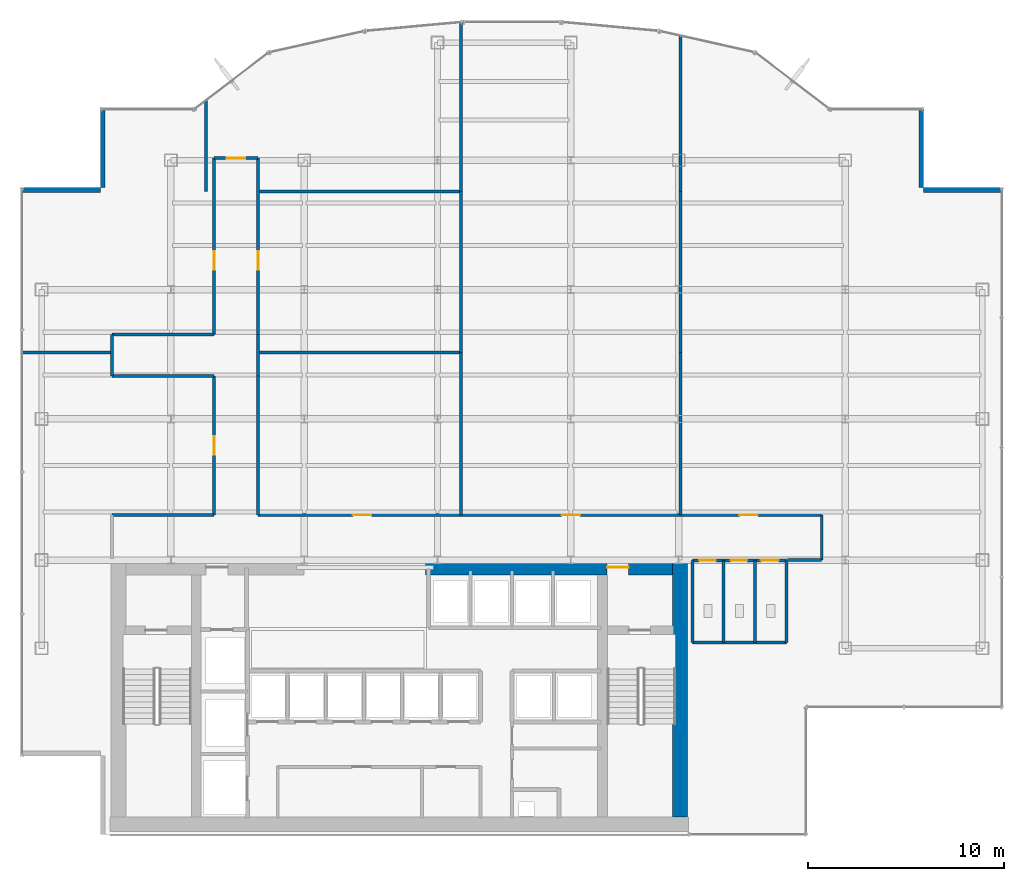
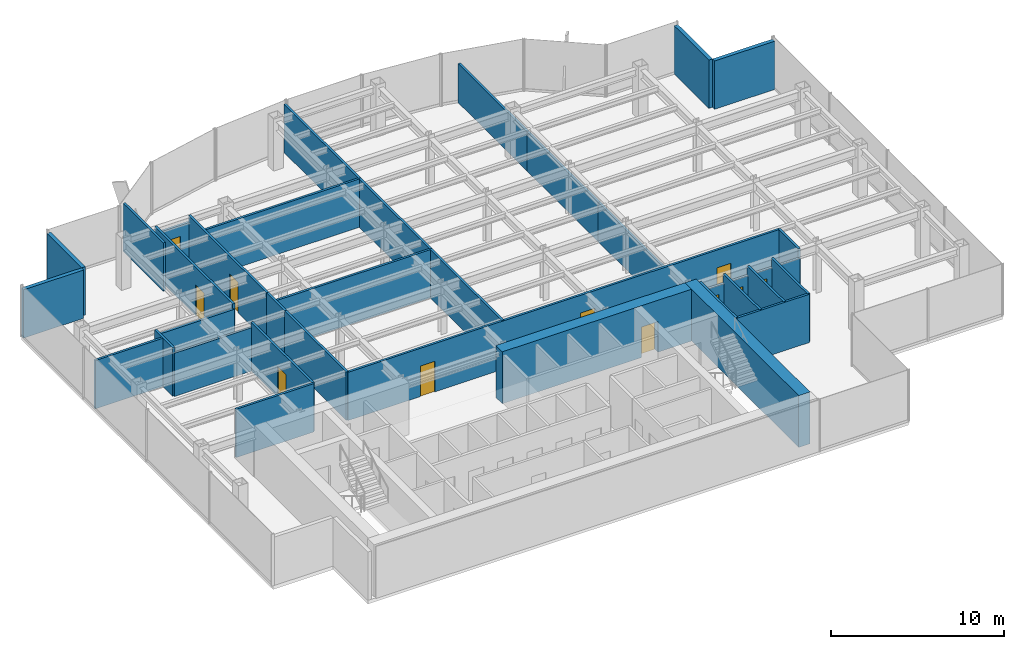
# One storey, part 21 of 25: 35 walls, 11 doors, 11 openings.
"""IFC4 building model written with IfcOpenShell, lengths in metres."""

from ifc_helpers import new_model, si_unit, derived_unit, direction, frame, frame_2d, origin, place, context, subcontext, project, spatial, rectangle, extrude, source, transform, mapped, material, layer, layer_set, type_object, element, fill, save


model = new_model("IFC4")

# Units and contexts
model_context = context("Model", 3, precision=1e-05, world=origin(), true_north=direction((0.0, 1.0)))
body_context = subcontext(model_context, "Body", "Model", "MODEL_VIEW")
ifc_project = project(units=[si_unit("LENGTHUNIT", "METRE"), si_unit("AREAUNIT", "SQUARE_METRE"), si_unit("VOLUMEUNIT", "CUBIC_METRE"), si_unit("PLANEANGLEUNIT", "RADIAN"), si_unit("MASSUNIT", "GRAM", prefix="KILO"), derived_unit("THERMALTRANSMITTANCEUNIT", [(si_unit("POWERUNIT", "WATT"), 1), (si_unit("LENGTHUNIT", "METRE"), -2), (si_unit("THERMODYNAMICTEMPERATUREUNIT", "KELVIN"), -1)])], contexts=[model_context])

# Site, building, storey
site_placement = place(None, origin())
site = spatial("IfcSite", under=ifc_project, at=site_placement, CompositionType="ELEMENT")
building_placement = place(site_placement, origin())
building = spatial("IfcBuilding", under=site, at=building_placement, Name="Skarnbrae Concourse Arena and Tower", CompositionType="ELEMENT")
storey_placement = place(building_placement, frame((0.0, 0.0, 155.199951171875)))
storey = spatial("IfcBuildingStorey", under=building, at=storey_placement, Name="L39", CompositionType="ELEMENT", Elevation=155.199951171875)

# Wall
ifc_material_1 = material(Name="Concrete 60 MPa (C60/75)", Category="concrete")
ifc_layer_1 = layer(ifc_material_1, 0.75)
ifc_layer_set_1 = layer_set([ifc_layer_1], Name="Concrete 60 MPa (C60/75)")
wall_type_1 = type_object("IfcWallType", Name="WALL-CORE-750-C60", PredefinedType="SHEAR", material=ifc_layer_set_1)
shared_shape_1 = source(origin(), body_context, "Body", "SweptSolid", [
    extrude(rectangle(XDim=13.10009765625, YDim=0.75, at=frame_2d((6.550048828125, 0.0))), origin(), (0.0, 0.0, 1.0), 3.650146484375),
])
wall_1_placement = place(storey_placement, frame((33.574951171875, 0.89990234375, 0.0), z_axis=(0.0, 0.0, 1.0), x_axis=(0.0, 1.0, 0.0)))
element("IfcWall", 1, at=wall_1_placement, inside=storey, type_object=wall_type_1, Name="L39 Rear core shear wall CW-E", PredefinedType="SHEAR", context=body_context, shape_type="MappedRepresentation", body=[
    mapped(shared_shape_1, transform((0.0, 0.0, 0.0))),
])

# Wall, opening, door
shared_shape_2 = source(origin(), body_context, "Body", "SweptSolid", [
    extrude(rectangle(XDim=12.599853515625, YDim=0.75, at=frame_2d((6.2998046875, 0.0))), origin(), (0.0, 0.0, 1.0), 3.650146484375),
])
wall_2_placement = place(storey_placement, frame((20.60009765625, 13.625, 0.0), z_axis=(0.0, 0.0, 1.0), x_axis=(1.0, 0.0, 0.0)))
wall_2 = element("IfcWall", 2, at=wall_2_placement, inside=storey, type_object=wall_type_1, Name="L39 Rear core shear wall CW-NE", PredefinedType="SHEAR", context=body_context, shape_type="MappedRepresentation", body=[
    mapped(shared_shape_2, transform((0.0, 0.0, 0.0))),
])
opening_1_placement = place(wall_2_placement, frame((9.25, 0.0, 0.0)))
opening_1 = element("IfcOpeningElement", 3, at=opening_1_placement, cuts=wall_2, Name="Opening DT-03", PredefinedType="OPENING", context=body_context, shape_type="SweptSolid", body=[
    extrude(rectangle(XDim=1.10009765625, YDim=2.14990234375, at=frame_2d((0.550048828125, 1.074951171875))), frame((0.0, 0.385009765625, 0.0), z_axis=(0.0, -1.0, 0.0), x_axis=(1.0, 0.0, 0.0)), (0.0, 0.0, 1.0), 0.77001953125),
])
ifc_material_2 = material(Name="Steel CSA G40.21 350W", Category="steel")
door_type_1 = type_object("IfcDoorType", Name="DOOR-FIRE-1100-90M", OperationType="NOTDEFINED", PredefinedType="DOOR", material=ifc_material_2)
shared_shape_3 = source(origin(), body_context, "Body", "SweptSolid", [
    extrude(rectangle(XDim=1.10009765625, YDim=2.14990234375, at=frame_2d((0.550048828125, 1.074951171875))), frame((0.0, 0.02490234375, 0.0), z_axis=(0.0, -1.0, 0.0), x_axis=(1.0, 0.0, 0.0)), (0.0, 0.0, 1.0), 0.050048828125),
])
door_1_placement = place(opening_1_placement, origin())
door_1 = element("IfcDoor", 4, at=door_1_placement, inside=storey, type_object=door_type_1, Name="D-1211 Stair ST-2 Vestibule Door", OperationType="SINGLE_SWING_LEFT", OverallHeight=2.14990234375, OverallWidth=1.10009765625, PredefinedType="DOOR", context=body_context, shape_type="MappedRepresentation", body=[
    mapped(shared_shape_3, transform((0.0, 0.0, 0.0))),
])
fill(opening_1, door_1)

# Walls
ifc_material_3 = material(Name="Precast concrete 40 MPa (C40/50)", Category="concrete")
ifc_layer_2 = layer(ifc_material_3, 0.25)
ifc_layer_set_2 = layer_set([ifc_layer_2], Name="Precast concrete 40 MPa (C40/50)")
wall_type_2 = type_object("IfcWallType", Name="WALL-EXT-SPANDREL-250", PredefinedType="STANDARD", material=ifc_layer_set_2)
shared_shape_4 = source(origin(), body_context, "Body", "SweptSolid", [
    extrude(rectangle(XDim=4.0, YDim=0.25, at=frame_2d((2.0, 0.0))), origin(), (0.0, 0.0, 1.0), 3.400146484375),
])
for number, where, z_axis, x_axis, name in (
    (5, (50.0, 32.875, 0.0), (0.0, 0.0, 1.0), (-1.0, 0.0, 0.0), "L39 Notched corner insulated return wall 05"),
    (6, (45.875, 33.0, 0.0), (0.0, 0.0, 1.0), (0.0, 1.0, 0.0), "L39 Notched corner insulated return wall 06"),
    (7, (4.125, 37.0, 0.0), (0.0, 0.0, 1.0), (0.0, -1.0, 0.0), "L39 Notched corner insulated return wall 16"),
    (8, (4.0, 32.875, 0.0), (0.0, 0.0, 1.0), (-1.0, 0.0, 0.0), "L39 Notched corner insulated return wall 17"),
):
    element("IfcWall", number, at=place(storey_placement, frame(where, z_axis=z_axis, x_axis=x_axis)), inside=storey, type_object=wall_type_2, Name=name, PredefinedType="STANDARD", context=body_context, shape_type="MappedRepresentation", body=[
        mapped(shared_shape_4, transform((0.0, 0.0, 0.0))),
    ])
ifc_material_4 = material(Name="Gypsum board on cold-formed steel studs", Category="steel")
ifc_layer_3 = layer(ifc_material_4, 0.14990234375)
ifc_layer_set_3 = layer_set([ifc_layer_3], Name="Gypsum board on cold-formed steel studs")
wall_type_3 = type_object("IfcWallType", Name="WALL-PART-150", PredefinedType="PARTITIONING", material=ifc_layer_set_3)
shared_shape_5 = source(origin(), body_context, "Body", "SweptSolid", [
    extrude(rectangle(XDim=4.800048828125, YDim=0.14990234375, at=frame_2d((2.39990234375, 0.0))), origin(), (0.0, 0.0, 1.0), 3.400146484375),
])
wall_3_placement = place(storey_placement, frame((34.199951171875, 9.800048828125, 0.0), z_axis=(0.0, 0.0, 1.0), x_axis=(1.0, 0.0, 0.0)))
element("IfcWall", 9, at=wall_3_placement, inside=storey, type_object=wall_type_3, Name="L39 Interior partition wall W-L39-WC-S", PredefinedType="PARTITIONING", context=body_context, shape_type="MappedRepresentation", body=[
    mapped(shared_shape_5, transform((0.0, 0.0, 0.0))),
])
shared_shape_6 = source(origin(), body_context, "Body", "SweptSolid", [
    extrude(rectangle(XDim=4.179931640625, YDim=0.14990234375, at=frame_2d((2.08984375, 0.0))), origin(), (0.0, 0.0, 1.0), 3.400146484375),
])
for number, where, z_axis, x_axis, name in (
    (10, (39.0, 9.800048828125, 0.0), (0.0, 0.0, 1.0), (0.0, 1.0, 0.0), "L39 Interior partition wall W-L39-WC-E"),
    (11, (34.199951171875, 9.800048828125, 0.0), (0.0, 0.0, 1.0), (0.0, 1.0, 0.0), "L39 Interior partition wall W-L39-WC-W"),
    (12, (35.800048828125, 9.800048828125, 0.0), (0.0, 0.0, 1.0), (0.0, 1.0, 0.0), "L39 Interior partition wall W-L39-WC-D1"),
    (13, (37.39990234375, 9.800048828125, 0.0), (0.0, 0.0, 1.0), (0.0, 1.0, 0.0), "L39 Interior partition wall W-L39-WC-D2"),
):
    element("IfcWall", number, at=place(storey_placement, frame(where, z_axis=z_axis, x_axis=x_axis)), inside=storey, type_object=wall_type_3, Name=name, PredefinedType="PARTITIONING", context=body_context, shape_type="MappedRepresentation", body=[
        mapped(shared_shape_6, transform((0.0, 0.0, 0.0))),
    ])
shared_shape_7 = source(origin(), body_context, "Body", "SweptSolid", [
    extrude(rectangle(XDim=10.349853515625, YDim=0.14990234375, at=frame_2d((5.1748046875, 0.0))), origin(), (0.0, 0.0, 1.0), 3.400146484375),
])
for number, where, z_axis, x_axis, name in (
    (14, (12.050048828125, 24.60009765625, 0.0), (0.0, 0.0, 1.0), (1.0, 0.0, 0.0), "L39 Interior partition wall W-L39-DEM-17"),
    (15, (22.39990234375, 32.800048828125, 0.0), (0.0, 0.0, 1.0), (-1.0, 0.0, 0.0), "L39 Interior partition wall W-L39-DEM-18"),
):
    element("IfcWall", number, at=place(storey_placement, frame(where, z_axis=z_axis, x_axis=x_axis)), inside=storey, type_object=wall_type_3, Name=name, PredefinedType="PARTITIONING", context=body_context, shape_type="MappedRepresentation", body=[
        mapped(shared_shape_7, transform((0.0, 0.0, 0.0))),
    ])
ifc_layer_4 = layer(ifc_material_4, 0.14990234375)
ifc_layer_set_4 = layer_set([ifc_layer_4], Name="Gypsum board on cold-formed steel studs")
wall_type_4 = type_object("IfcWallType", Name="WALL-PART-150-1HR", PredefinedType="PARTITIONING", material=ifc_layer_set_4)
shared_shape_8 = source(origin(), body_context, "Body", "SweptSolid", [
    extrude(rectangle(XDim=5.199951171875, YDim=0.14990234375, at=frame_2d((2.60009765625, 0.0))), origin(), (0.0, 0.0, 1.0), 3.400146484375),
])
wall_4_placement = place(storey_placement, frame((4.60009765625, 16.300048828125, 0.0), z_axis=(0.0, 0.0, 1.0), x_axis=(1.0, 0.0, 0.0)))
element("IfcWall", 16, at=wall_4_placement, inside=storey, type_object=wall_type_4, Name="L39 Interior partition wall W-L39-COR-02", PredefinedType="PARTITIONING", context=body_context, shape_type="MappedRepresentation", body=[
    mapped(shared_shape_8, transform((0.0, 0.0, 0.0))),
])

# Wall, opening, door
shared_shape_9 = source(origin(), body_context, "Body", "SweptSolid", [
    extrude(rectangle(XDim=7.099853515625, YDim=0.14990234375, at=frame_2d((3.5498046875, 0.0))), origin(), (0.0, 0.0, 1.0), 3.400146484375),
])
wall_5_placement = place(storey_placement, frame((9.800048828125, 16.300048828125, 0.0), z_axis=(0.0, 0.0, 1.0), x_axis=(0.0, 1.0, 0.0)))
wall_5 = element("IfcWall", 17, at=wall_5_placement, inside=storey, type_object=wall_type_4, Name="L39 Interior partition wall W-L39-COR-03", PredefinedType="PARTITIONING", context=body_context, shape_type="MappedRepresentation", body=[
    mapped(shared_shape_9, transform((0.0, 0.0, 0.0))),
])
opening_2_placement = place(wall_5_placement, frame((3.074951171875, 0.0, 0.0)))
opening_2 = element("IfcOpeningElement", 18, at=opening_2_placement, cuts=wall_5, Name="Opening DT-04", PredefinedType="OPENING", context=body_context, shape_type="SweptSolid", body=[
    extrude(rectangle(XDim=0.949951171875, YDim=2.14990234375, at=frame_2d((0.47509765625, 1.074951171875))), frame((0.0, 0.0849609375, 0.0), z_axis=(0.0, -1.0, 0.0), x_axis=(1.0, 0.0, 0.0)), (0.0, 0.0, 1.0), 0.169921875),
])
door_type_2 = type_object("IfcDoorType", Name="DOOR-INT-950-45M", OperationType="NOTDEFINED", PredefinedType="DOOR", material=ifc_material_2)
shared_shape_10 = source(origin(), body_context, "Body", "SweptSolid", [
    extrude(rectangle(XDim=0.949951171875, YDim=2.14990234375, at=frame_2d((0.47509765625, 1.074951171875))), frame((0.0, 0.02490234375, 0.0), z_axis=(0.0, -1.0, 0.0), x_axis=(1.0, 0.0, 0.0)), (0.0, 0.0, 1.0), 0.050048828125),
])
door_2_placement = place(opening_2_placement, origin())
door_2 = element("IfcDoor", 19, at=door_2_placement, inside=storey, type_object=door_type_2, Name="D-1228 L39 Suite Door 01", OperationType="SINGLE_SWING_LEFT", OverallHeight=2.14990234375, OverallWidth=0.949951171875, PredefinedType="DOOR", context=body_context, shape_type="MappedRepresentation", body=[
    mapped(shared_shape_10, transform((0.0, 0.0, 0.0))),
])
fill(opening_2, door_2)

# Walls
wall_6_placement = place(storey_placement, frame((12.050048828125, 23.39990234375, 0.0), z_axis=(0.0, 0.0, 1.0), x_axis=(0.0, -1.0, 0.0)))
element("IfcWall", 20, at=wall_6_placement, inside=storey, type_object=wall_type_4, Name="L39 Interior partition wall W-L39-COR-11", PredefinedType="PARTITIONING", context=body_context, shape_type="MappedRepresentation", body=[
    mapped(shared_shape_9, transform((0.0, 0.0, 0.0))),
])
shared_shape_11 = source(origin(), body_context, "Body", "SweptSolid", [
    extrude(rectangle(XDim=2.10009765625, YDim=0.14990234375, at=frame_2d((1.050048828125, 0.0))), origin(), (0.0, 0.0, 1.0), 3.400146484375),
])
for number, where, z_axis, x_axis, name in (
    (21, (4.60009765625, 23.39990234375, 0.0), (0.0, 0.0, 1.0), (0.0, 1.0, 0.0), "L39 Interior partition wall W-L39-COR-05"),
    (22, (12.050048828125, 25.5, 0.0), (0.0, 0.0, 1.0), (0.0, -1.0, 0.0), "L39 Interior partition wall W-L39-COR-10"),
):
    element("IfcWall", number, at=place(storey_placement, frame(where, z_axis=z_axis, x_axis=x_axis)), inside=storey, type_object=wall_type_4, Name=name, PredefinedType="PARTITIONING", context=body_context, shape_type="MappedRepresentation", body=[
        mapped(shared_shape_11, transform((0.0, 0.0, 0.0))),
    ])

# Wall, opening, door
shared_shape_12 = source(origin(), body_context, "Body", "SweptSolid", [
    extrude(rectangle(XDim=9.0, YDim=0.14990234375, at=frame_2d((4.5, 0.0))), origin(), (0.0, 0.0, 1.0), 3.400146484375),
])
wall_7_placement = place(storey_placement, frame((9.800048828125, 25.5, 0.0), z_axis=(0.0, 0.0, 1.0), x_axis=(0.0, 1.0, 0.0)))
wall_7 = element("IfcWall", 23, at=wall_7_placement, inside=storey, type_object=wall_type_4, Name="L39 Interior partition wall W-L39-COR-07", PredefinedType="PARTITIONING", context=body_context, shape_type="MappedRepresentation", body=[
    mapped(shared_shape_12, transform((0.0, 0.0, 0.0))),
])
opening_3_placement = place(wall_7_placement, frame((3.304931640625, 0.0, 0.0)))
opening_3 = element("IfcOpeningElement", 24, at=opening_3_placement, cuts=wall_7, Name="Opening DT-04", PredefinedType="OPENING", context=body_context, shape_type="SweptSolid", body=[
    extrude(rectangle(XDim=0.949951171875, YDim=2.14990234375, at=frame_2d((0.47509765625, 1.074951171875))), frame((0.0, 0.0849609375, 0.0), z_axis=(0.0, -1.0, 0.0), x_axis=(1.0, 0.0, 0.0)), (0.0, 0.0, 1.0), 0.169921875),
])
door_3_placement = place(opening_3_placement, origin())
door_3 = element("IfcDoor", 25, at=door_3_placement, inside=storey, type_object=door_type_2, Name="D-1229 L39 Suite Door 02", OperationType="SINGLE_SWING_RIGHT", OverallHeight=2.14990234375, OverallWidth=0.949951171875, PredefinedType="DOOR", context=body_context, shape_type="MappedRepresentation", body=[
    mapped(shared_shape_10, transform((0.0, 0.0, 0.0))),
])
fill(opening_3, door_3)

wall_8_placement = place(storey_placement, frame((12.050048828125, 34.5, 0.0), z_axis=(0.0, 0.0, 1.0), x_axis=(0.0, -1.0, 0.0)))
wall_8 = element("IfcWall", 26, at=wall_8_placement, inside=storey, type_object=wall_type_4, Name="L39 Interior partition wall W-L39-COR-09", PredefinedType="PARTITIONING", context=body_context, shape_type="MappedRepresentation", body=[
    mapped(shared_shape_12, transform((0.0, 0.0, 0.0))),
])
opening_4_placement = place(wall_8_placement, frame((4.7451171875, 0.0, 0.0)))
opening_4 = element("IfcOpeningElement", 27, at=opening_4_placement, cuts=wall_8, Name="Opening DT-04", PredefinedType="OPENING", context=body_context, shape_type="SweptSolid", body=[
    extrude(rectangle(XDim=0.949951171875, YDim=2.14990234375, at=frame_2d((0.47509765625, 1.074951171875))), frame((0.0, 0.0849609375, 0.0), z_axis=(0.0, -1.0, 0.0), x_axis=(1.0, 0.0, 0.0)), (0.0, 0.0, 1.0), 0.169921875),
])
door_4_placement = place(opening_4_placement, origin())
door_4 = element("IfcDoor", 28, at=door_4_placement, inside=storey, type_object=door_type_2, Name="D-1232 L39 Suite Door 05", OperationType="SINGLE_SWING_LEFT", OverallHeight=2.14990234375, OverallWidth=0.949951171875, PredefinedType="DOOR", context=body_context, shape_type="MappedRepresentation", body=[
    mapped(shared_shape_10, transform((0.0, 0.0, 0.0))),
])
fill(opening_4, door_4)

# Wall, openings, doors
shared_shape_13 = source(origin(), body_context, "Body", "SweptSolid", [
    extrude(rectangle(XDim=28.75, YDim=0.14990234375, at=frame_2d((14.375, 0.0))), origin(), (0.0, 0.0, 1.0), 3.400146484375),
])
wall_9_placement = place(storey_placement, frame((12.050048828125, 16.300048828125, 0.0), z_axis=(0.0, 0.0, 1.0), x_axis=(1.0, 0.0, 0.0)))
wall_9 = element("IfcWall", 29, at=wall_9_placement, inside=storey, type_object=wall_type_4, Name="L39 Interior partition wall W-L39-COR-12", PredefinedType="PARTITIONING", context=body_context, shape_type="MappedRepresentation", body=[
    mapped(shared_shape_13, transform((0.0, 0.0, 0.0))),
])
opening_5_placement = place(wall_9_placement, frame((4.830078125, 0.0, 0.0)))
opening_5 = element("IfcOpeningElement", 30, at=opening_5_placement, cuts=wall_9, Name="Opening DT-04", PredefinedType="OPENING", context=body_context, shape_type="SweptSolid", body=[
    extrude(rectangle(XDim=0.949951171875, YDim=2.14990234375, at=frame_2d((0.47509765625, 1.074951171875))), frame((0.0, 0.0849609375, 0.0), z_axis=(0.0, -1.0, 0.0), x_axis=(1.0, 0.0, 0.0)), (0.0, 0.0, 1.0), 0.169921875),
])
opening_6_placement = place(wall_9_placement, frame((15.47509765625, 0.0, 0.0)))
opening_6 = element("IfcOpeningElement", 31, at=opening_6_placement, cuts=wall_9, Name="Opening DT-04", PredefinedType="OPENING", context=body_context, shape_type="SweptSolid", body=[
    extrude(rectangle(XDim=0.949951171875, YDim=2.14990234375, at=frame_2d((0.47509765625, 1.074951171875))), frame((0.0, 0.0849609375, 0.0), z_axis=(0.0, -1.0, 0.0), x_axis=(1.0, 0.0, 0.0)), (0.0, 0.0, 1.0), 0.169921875),
])
opening_7_placement = place(wall_9_placement, frame((24.544921875, 0.0, 0.0)))
opening_7 = element("IfcOpeningElement", 32, at=opening_7_placement, cuts=wall_9, Name="Opening DT-04", PredefinedType="OPENING", context=body_context, shape_type="SweptSolid", body=[
    extrude(rectangle(XDim=0.949951171875, YDim=2.14990234375, at=frame_2d((0.47509765625, 1.074951171875))), frame((0.0, 0.0849609375, 0.0), z_axis=(0.0, -1.0, 0.0), x_axis=(1.0, 0.0, 0.0)), (0.0, 0.0, 1.0), 0.169921875),
])
door_5_placement = place(opening_5_placement, origin())
door_5 = element("IfcDoor", 33, at=door_5_placement, inside=storey, type_object=door_type_2, Name="D-1231 L39 Suite Door 04", OperationType="SINGLE_SWING_RIGHT", OverallHeight=2.14990234375, OverallWidth=0.949951171875, PredefinedType="DOOR", context=body_context, shape_type="MappedRepresentation", body=[
    mapped(shared_shape_10, transform((0.0, 0.0, 0.0))),
])
fill(opening_5, door_5)
door_6_placement = place(opening_6_placement, origin())
door_6 = element("IfcDoor", 34, at=door_6_placement, inside=storey, type_object=door_type_2, Name="D-1233 L39 Suite Door 06", OperationType="SINGLE_SWING_RIGHT", OverallHeight=2.14990234375, OverallWidth=0.949951171875, PredefinedType="DOOR", context=body_context, shape_type="MappedRepresentation", body=[
    mapped(shared_shape_10, transform((0.0, 0.0, 0.0))),
])
fill(opening_6, door_6)
door_7_placement = place(opening_7_placement, origin())
door_7 = element("IfcDoor", 35, at=door_7_placement, inside=storey, type_object=door_type_2, Name="D-1234 L39 Suite Door 07", OperationType="SINGLE_SWING_LEFT", OverallHeight=2.14990234375, OverallWidth=0.949951171875, PredefinedType="DOOR", context=body_context, shape_type="MappedRepresentation", body=[
    mapped(shared_shape_10, transform((0.0, 0.0, 0.0))),
])
fill(opening_7, door_7)

# Walls
shared_shape_14 = source(origin(), body_context, "Body", "SweptSolid", [
    extrude(rectangle(XDim=2.300048828125, YDim=0.14990234375, at=frame_2d((1.14990234375, 0.0))), origin(), (0.0, 0.0, 1.0), 3.400146484375),
])
wall_10_placement = place(storey_placement, frame((40.800048828125, 16.300048828125, 0.0), z_axis=(0.0, 0.0, 1.0), x_axis=(0.0, -1.0, 0.0)))
element("IfcWall", 36, at=wall_10_placement, inside=storey, type_object=wall_type_4, Name="L39 Interior partition wall W-L39-COR-13", PredefinedType="PARTITIONING", context=body_context, shape_type="MappedRepresentation", body=[
    mapped(shared_shape_14, transform((0.0, 0.0, 0.0))),
])
shared_shape_15 = source(origin(), body_context, "Body", "SweptSolid", [
    extrude(rectangle(XDim=4.580078125, YDim=0.14990234375, at=frame_2d((2.2900390625, 0.0))), origin(), (0.0, 0.0, 1.0), 3.400146484375),
])
wall_11_placement = place(storey_placement, frame((0.02001953125, 24.60009765625, 0.0), z_axis=(0.0, 0.0, 1.0), x_axis=(1.0, 0.0, 0.0)))
element("IfcWall", 37, at=wall_11_placement, inside=storey, type_object=wall_type_3, Name="L39 Interior partition wall W-L39-DEM-15", PredefinedType="PARTITIONING", context=body_context, shape_type="MappedRepresentation", body=[
    mapped(shared_shape_15, transform((0.0, 0.0, 0.0))),
])

# Wall, openings, doors
shared_shape_16 = source(origin(), body_context, "Body", "SweptSolid", [
    extrude(rectangle(XDim=4.800048828125, YDim=0.14990234375, at=frame_2d((2.39990234375, 0.0))), origin(), (0.0, 0.0, 1.0), 2.760009765625),
])
wall_12_placement = place(storey_placement, frame((34.199951171875, 13.97998046875, 0.0), z_axis=(0.0, 0.0, 1.0), x_axis=(1.0, 0.0, 0.0)))
wall_12 = element("IfcWall", 38, at=wall_12_placement, inside=storey, type_object=wall_type_3, Name="L39 Interior partition wall W-L39-WC-N", PredefinedType="PARTITIONING", context=body_context, shape_type="MappedRepresentation", body=[
    mapped(shared_shape_16, transform((0.0, 0.0, 0.0))),
])
opening_8_placement = place(wall_12_placement, frame((0.35009765625, 0.0, 0.0)))
opening_8 = element("IfcOpeningElement", 39, at=opening_8_placement, cuts=wall_12, Name="Opening DT-06", PredefinedType="OPENING", context=body_context, shape_type="SweptSolid", body=[
    extrude(rectangle(XDim=0.85009765625, YDim=2.10009765625, at=frame_2d((0.425048828125, 1.050048828125))), frame((0.0, 0.0849609375, 0.0), z_axis=(0.0, -1.0, 0.0), x_axis=(1.0, 0.0, 0.0)), (0.0, 0.0, 1.0), 0.169921875),
])
opening_9_placement = place(wall_12_placement, frame((1.949951171875, 0.0, 0.0)))
opening_9 = element("IfcOpeningElement", 40, at=opening_9_placement, cuts=wall_12, Name="Opening DT-06", PredefinedType="OPENING", context=body_context, shape_type="SweptSolid", body=[
    extrude(rectangle(XDim=0.85009765625, YDim=2.10009765625, at=frame_2d((0.425048828125, 1.050048828125))), frame((0.0, 0.0849609375, 0.0), z_axis=(0.0, -1.0, 0.0), x_axis=(1.0, 0.0, 0.0)), (0.0, 0.0, 1.0), 0.169921875),
])
opening_10_placement = place(wall_12_placement, frame((3.5, 0.0, 0.0)))
opening_10 = element("IfcOpeningElement", 41, at=opening_10_placement, cuts=wall_12, Name="Opening DT-05", PredefinedType="OPENING", context=body_context, shape_type="SweptSolid", body=[
    extrude(rectangle(XDim=0.89990234375, YDim=2.10009765625, at=frame_2d((0.449951171875, 1.050048828125))), frame((0.0, 0.0849609375, 0.0), z_axis=(0.0, -1.0, 0.0), x_axis=(1.0, 0.0, 0.0)), (0.0, 0.0, 1.0), 0.169921875),
])
ifc_material_5 = material(Name="Architectural oak veneer timber leaf", Category="wood")
door_type_3 = type_object("IfcDoorType", Name="DOOR-INT-850", OperationType="NOTDEFINED", PredefinedType="DOOR", material=ifc_material_5)
shared_shape_17 = source(origin(), body_context, "Body", "SweptSolid", [
    extrude(rectangle(XDim=0.85009765625, YDim=2.10009765625, at=frame_2d((0.425048828125, 1.050048828125))), frame((0.0, 0.02490234375, 0.0), z_axis=(0.0, -1.0, 0.0), x_axis=(1.0, 0.0, 0.0)), (0.0, 0.0, 1.0), 0.050048828125),
])
door_8_placement = place(opening_8_placement, frame((0.85009765625, 0.0, 0.0), z_axis=(0.0, 0.0, 1.0), x_axis=(-1.0, 0.0, 0.0)))
door_8 = element("IfcDoor", 42, at=door_8_placement, inside=storey, type_object=door_type_3, Name="D-1225 Male Washroom Door", OperationType="SINGLE_SWING_LEFT", OverallHeight=2.10009765625, OverallWidth=0.85009765625, PredefinedType="DOOR", context=body_context, shape_type="MappedRepresentation", body=[
    mapped(shared_shape_17, transform((0.0, 0.0, 0.0))),
])
fill(opening_8, door_8)
door_9_placement = place(opening_9_placement, frame((0.85009765625, 0.0, 0.0), z_axis=(0.0, 0.0, 1.0), x_axis=(-1.0, 0.0, 0.0)))
door_9 = element("IfcDoor", 43, at=door_9_placement, inside=storey, type_object=door_type_3, Name="D-1226 Female Washroom Door", OperationType="SINGLE_SWING_RIGHT", OverallHeight=2.10009765625, OverallWidth=0.85009765625, PredefinedType="DOOR", context=body_context, shape_type="MappedRepresentation", body=[
    mapped(shared_shape_17, transform((0.0, 0.0, 0.0))),
])
fill(opening_9, door_9)
door_type_4 = type_object("IfcDoorType", Name="DOOR-INT-900", OperationType="NOTDEFINED", PredefinedType="DOOR", material=ifc_material_5)
shared_shape_18 = source(origin(), body_context, "Body", "SweptSolid", [
    extrude(rectangle(XDim=0.89990234375, YDim=2.10009765625, at=frame_2d((0.449951171875, 1.050048828125))), frame((0.0, 0.02490234375, 0.0), z_axis=(0.0, -1.0, 0.0), x_axis=(1.0, 0.0, 0.0)), (0.0, 0.0, 1.0), 0.050048828125),
])
door_10_placement = place(opening_10_placement, frame((0.89990234375, 0.0, 0.0), z_axis=(0.0, 0.0, 1.0), x_axis=(-1.0, 0.0, 0.0)))
door_10 = element("IfcDoor", 44, at=door_10_placement, inside=storey, type_object=door_type_4, Name="D-1227 Accessible WC Door", OperationType="SINGLE_SWING_LEFT", OverallHeight=2.10009765625, OverallWidth=0.89990234375, PredefinedType="DOOR", context=body_context, shape_type="MappedRepresentation", body=[
    mapped(shared_shape_18, transform((0.0, 0.0, 0.0))),
])
fill(opening_10, door_10)

# Walls
shared_shape_19 = source(origin(), body_context, "Body", "SweptSolid", [
    extrude(rectangle(XDim=5.199951171875, YDim=0.14990234375, at=frame_2d((2.60009765625, 0.0))), origin(), (0.0, 0.0, 1.0), 3.041015625),
])
for number, where, z_axis, x_axis, name in (
    (45, (9.800048828125, 23.39990234375, 0.0), (0.0, 0.0, 1.0), (-1.0, 0.0, 0.0), "L39 Interior partition wall W-L39-COR-04"),
    (46, (4.60009765625, 25.5, 0.0), (0.0, 0.0, 1.0), (1.0, 0.0, 0.0), "L39 Interior partition wall W-L39-COR-06"),
):
    element("IfcWall", number, at=place(storey_placement, frame(where, z_axis=z_axis, x_axis=x_axis)), inside=storey, type_object=wall_type_4, Name=name, PredefinedType="PARTITIONING", context=body_context, shape_type="MappedRepresentation", body=[
        mapped(shared_shape_19, transform((0.0, 0.0, 0.0))),
    ])
shared_shape_20 = source(origin(), body_context, "Body", "SweptSolid", [
    extrude(rectangle(XDim=1.75, YDim=0.14990234375, at=frame_2d((0.875, 0.0))), origin(), (0.0, 0.0, 1.0), 2.760009765625),
])
wall_13_placement = place(storey_placement, frame((40.800048828125, 14.0, 0.0), z_axis=(0.0, 0.0, 1.0), x_axis=(-1.0, 0.0, 0.0)))
element("IfcWall", 47, at=wall_13_placement, inside=storey, type_object=wall_type_4, Name="L39 Interior partition wall W-L39-COR-14", PredefinedType="PARTITIONING", context=body_context, shape_type="MappedRepresentation", body=[
    mapped(shared_shape_20, transform((0.0, 0.0, 0.0))),
])
shared_shape_21 = source(origin(), body_context, "Body", "SweptSolid", [
    extrude(rectangle(XDim=7.92333984375, YDim=0.14990234375, at=frame_2d((3.961669921875, 0.0))), origin(), (0.0, 0.0, 1.0), 2.760009765625),
])
wall_14_placement = place(storey_placement, frame((33.60009765625, 40.723388671875, 0.0), z_axis=(0.0, 0.0, 1.0), x_axis=(0.0, -1.0, 0.0)))
element("IfcWall", 48, at=wall_14_placement, inside=storey, type_object=wall_type_3, Name="L39 Interior partition wall W-L39-DEM-22", PredefinedType="PARTITIONING", context=body_context, shape_type="MappedRepresentation", body=[
    mapped(shared_shape_21, transform((0.0, 0.0, 0.0))),
])
shared_shape_22 = source(origin(), body_context, "Body", "SweptSolid", [
    extrude(rectangle(XDim=8.199951171875, YDim=0.14990234375, at=frame_2d((4.10009765625, 0.0))), origin(), (0.0, 0.0, 1.0), 2.760009765625),
])
wall_15_placement = place(storey_placement, frame((33.60009765625, 32.800048828125, 0.0), z_axis=(0.0, 0.0, 1.0), x_axis=(0.0, -1.0, 0.0)))
element("IfcWall", 49, at=wall_15_placement, inside=storey, type_object=wall_type_3, Name="L39 Interior partition wall W-L39-DEM-23", PredefinedType="PARTITIONING", context=body_context, shape_type="MappedRepresentation", body=[
    mapped(shared_shape_22, transform((0.0, 0.0, 0.0))),
])
shared_shape_23 = source(origin(), body_context, "Body", "SweptSolid", [
    extrude(rectangle(XDim=8.300048828125, YDim=0.14990234375, at=frame_2d((4.14990234375, 0.0))), origin(), (0.0, 0.0, 1.0), 2.760009765625),
])
wall_16_placement = place(storey_placement, frame((33.60009765625, 24.60009765625, 0.0), z_axis=(0.0, 0.0, 1.0), x_axis=(0.0, -1.0, 0.0)))
element("IfcWall", 50, at=wall_16_placement, inside=storey, type_object=wall_type_3, Name="L39 Interior partition wall W-L39-DEM-24", PredefinedType="PARTITIONING", context=body_context, shape_type="MappedRepresentation", body=[
    mapped(shared_shape_23, transform((0.0, 0.0, 0.0))),
])

# Wall, opening, door
shared_shape_24 = source(origin(), body_context, "Body", "SweptSolid", [
    extrude(rectangle(XDim=2.25, YDim=0.14990234375, at=frame_2d((1.125, 0.0))), origin(), (0.0, 0.0, 1.0), 2.93212890625),
])
wall_17_placement = place(storey_placement, frame((9.800048828125, 34.5, 0.0), z_axis=(0.0, 0.0, 1.0), x_axis=(1.0, 0.0, 0.0)))
wall_17 = element("IfcWall", 51, at=wall_17_placement, inside=storey, type_object=wall_type_4, Name="L39 Interior partition wall W-L39-COR-08", PredefinedType="PARTITIONING", context=body_context, shape_type="MappedRepresentation", body=[
    mapped(shared_shape_24, transform((0.0, 0.0, 0.0))),
])
opening_11_placement = place(wall_17_placement, frame((0.64990234375, 0.0, 0.0)))
opening_11 = element("IfcOpeningElement", 52, at=opening_11_placement, cuts=wall_17, Name="Opening DT-04", PredefinedType="OPENING", context=body_context, shape_type="SweptSolid", body=[
    extrude(rectangle(XDim=0.949951171875, YDim=2.14990234375, at=frame_2d((0.47509765625, 1.074951171875))), frame((0.0, 0.0849609375, 0.0), z_axis=(0.0, -1.0, 0.0), x_axis=(1.0, 0.0, 0.0)), (0.0, 0.0, 1.0), 0.169921875),
])
door_11_placement = place(opening_11_placement, origin())
door_11 = element("IfcDoor", 53, at=door_11_placement, inside=storey, type_object=door_type_2, Name="D-1230 L39 Suite Door 03", OperationType="SINGLE_SWING_LEFT", OverallHeight=2.14990234375, OverallWidth=0.949951171875, PredefinedType="DOOR", context=body_context, shape_type="MappedRepresentation", body=[
    mapped(shared_shape_10, transform((0.0, 0.0, 0.0))),
])
fill(opening_11, door_11)

# Walls
shared_shape_25 = source(origin(), body_context, "Body", "SweptSolid", [
    extrude(rectangle(XDim=4.632568359375, YDim=0.14990234375, at=frame_2d((2.31640625, 0.0))), origin(), (0.0, 0.0, 1.0), 3.400146484375),
])
wall_18_placement = place(storey_placement, frame((9.39990234375, 37.4326171875, 0.0), z_axis=(0.0, 0.0, 1.0), x_axis=(0.0, -1.0, 0.0)))
element("IfcWall", 54, at=wall_18_placement, inside=storey, type_object=wall_type_3, Name="L39 Interior partition wall W-L39-DEM-16", PredefinedType="PARTITIONING", context=body_context, shape_type="MappedRepresentation", body=[
    mapped(shared_shape_25, transform((0.0, 0.0, 0.0))),
])
shared_shape_26 = source(origin(), body_context, "Body", "SweptSolid", [
    extrude(rectangle(XDim=8.300048828125, YDim=0.14990234375, at=frame_2d((4.14990234375, 0.0))), origin(), (0.0, 0.0, 1.0), 3.400146484375),
])
wall_19_placement = place(storey_placement, frame((22.39990234375, 24.60009765625, 0.0), z_axis=(0.0, 0.0, 1.0), x_axis=(0.0, -1.0, 0.0)))
element("IfcWall", 55, at=wall_19_placement, inside=storey, type_object=wall_type_3, Name="L39 Interior partition wall W-L39-DEM-19", PredefinedType="PARTITIONING", context=body_context, shape_type="MappedRepresentation", body=[
    mapped(shared_shape_26, transform((0.0, 0.0, 0.0))),
])
shared_shape_27 = source(origin(), body_context, "Body", "SweptSolid", [
    extrude(rectangle(XDim=8.199951171875, YDim=0.14990234375, at=frame_2d((4.10009765625, 0.0))), origin(), (0.0, 0.0, 1.0), 3.400146484375),
])
wall_20_placement = place(storey_placement, frame((22.39990234375, 32.800048828125, 0.0), z_axis=(0.0, 0.0, 1.0), x_axis=(0.0, -1.0, 0.0)))
element("IfcWall", 56, at=wall_20_placement, inside=storey, type_object=wall_type_3, Name="L39 Interior partition wall W-L39-DEM-20", PredefinedType="PARTITIONING", context=body_context, shape_type="MappedRepresentation", body=[
    mapped(shared_shape_27, transform((0.0, 0.0, 0.0))),
])
shared_shape_28 = source(origin(), body_context, "Body", "SweptSolid", [
    extrude(rectangle(XDim=8.617431640625, YDim=0.14990234375, at=frame_2d((4.30859375, 0.0))), origin(), (0.0, 0.0, 1.0), 3.400146484375),
])
wall_21_placement = place(storey_placement, frame((22.39990234375, 41.41748046875, 0.0), z_axis=(0.0, 0.0, 1.0), x_axis=(0.0, -1.0, 0.0)))
element("IfcWall", 57, at=wall_21_placement, inside=storey, type_object=wall_type_3, Name="L39 Interior partition wall W-L39-DEM-21", PredefinedType="PARTITIONING", context=body_context, shape_type="MappedRepresentation", body=[
    mapped(shared_shape_28, transform((0.0, 0.0, 0.0))),
])

save(model, "model.ifc")
